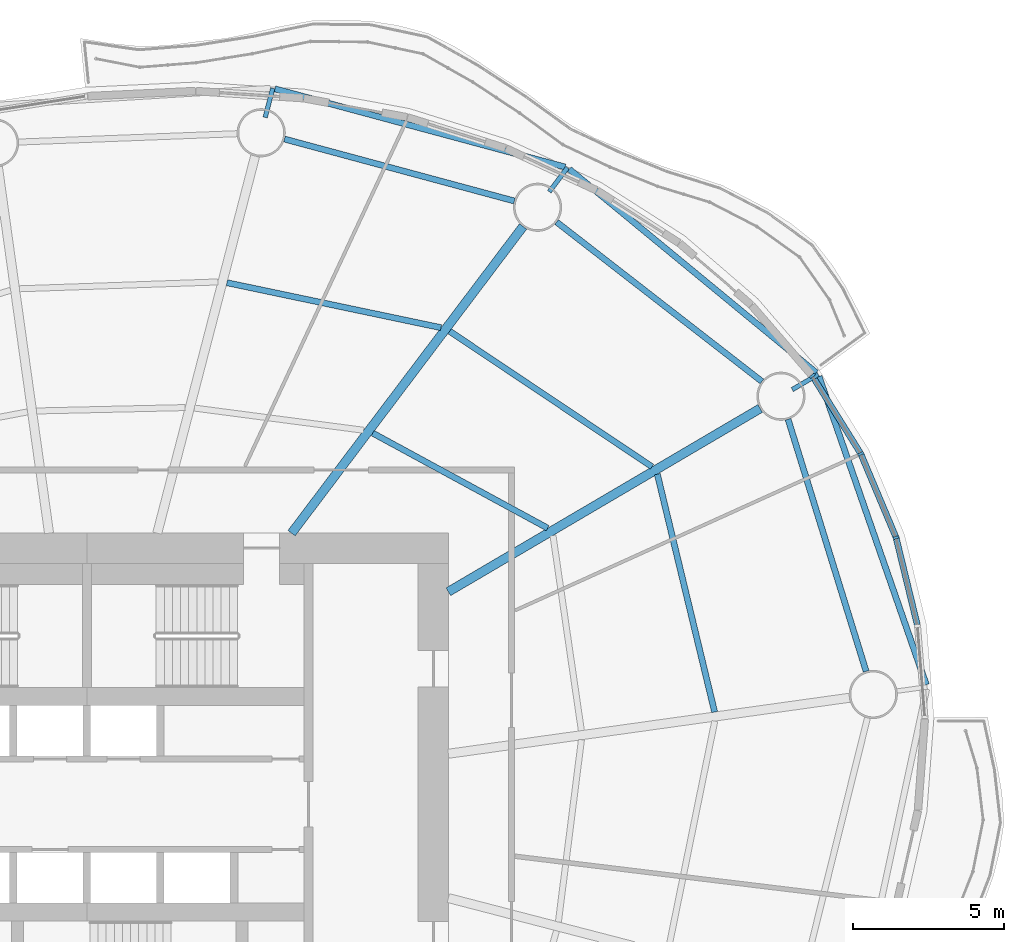
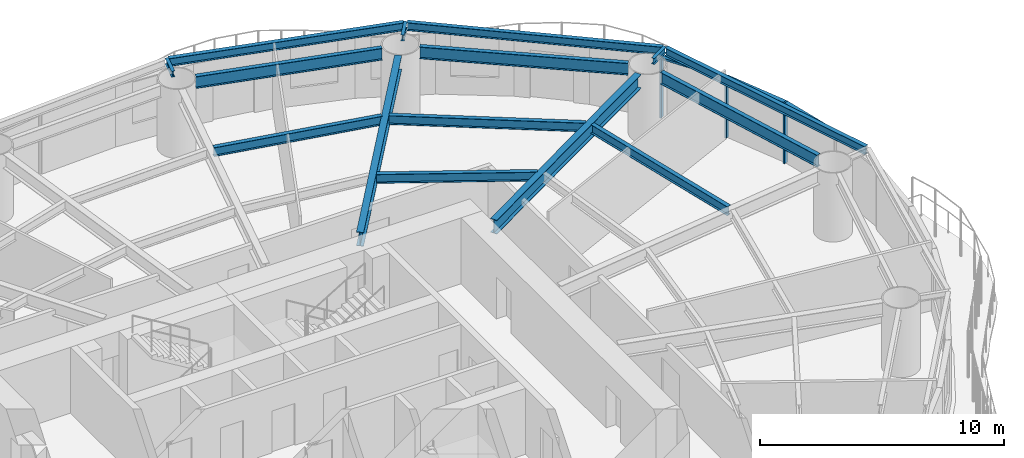
# One storey, part 5 of 14: 15 beams, 6 members, 3 elements without a shape of their own.
"""IFC4 building model written with IfcOpenShell, lengths in metres."""

from ifc_helpers import new_model, si_unit, direction, frame, origin, origin_2d, place, context, subcontext, project, spatial, rectangle, i_section, extrude, material, material_profile, profile_set, type_object, element, aggregate, save


model = new_model("IFC4")

# Units and contexts
model_context = context("Model", 3, precision=1e-05, world=origin(), true_north=direction((0.0, 1.0)))
body_context = subcontext(model_context, "Body", "Model", "MODEL_VIEW")
ifc_project = project(units=[si_unit("LENGTHUNIT", "METRE"), si_unit("AREAUNIT", "SQUARE_METRE"), si_unit("VOLUMEUNIT", "CUBIC_METRE"), si_unit("PLANEANGLEUNIT", "RADIAN"), si_unit("MASSUNIT", "GRAM", prefix="KILO")], contexts=[model_context])

# Site, building, storey
site_placement = place(None, origin())
site = spatial("IfcSite", under=ifc_project, at=site_placement, CompositionType="ELEMENT")
building_placement = place(site_placement, origin())
building = spatial("IfcBuilding", under=site, at=building_placement, Name="Vermilion Reach Broadcast Tower", CompositionType="ELEMENT")
storey_placement = place(building_placement, frame((0.0, 0.0, 106.60009765625)))
storey = spatial("IfcBuildingStorey", under=building, at=storey_placement, Name="L24", CompositionType="ELEMENT", Elevation=106.60009765625)

# Beams
ifc_material_1 = material(Name="Steel S355J2", Category="steel")
ifc_material_profile_1 = material_profile(ifc_material_1, i_section(OverallWidth=0.199951171875, OverallDepth=0.39990234375, WebThickness=0.008056640625, FlangeThickness=0.012939453125, at=origin_2d()), Name="S355J2 HN 400x200x8x13")
ifc_profile_set_1 = profile_set([ifc_material_profile_1], Name="Steel S355J2")
beam_type_1 = type_object("IfcBeamType", Name="EB2 HN 400x200x8x13", PredefinedType="BEAM", material=ifc_profile_set_1)
beam_1_placement = place(storey_placement, frame((18.2197265625, 14.324951171875, 3.25), z_axis=(-0.771698890056, 0.635988068352, 0.0), x_axis=(-0.635988068352, -0.771698890056, 0.0)))
element("IfcBeam", 1, at=beam_1_placement, inside=storey, type_object=beam_type_1, Name="Edge beam EB2-01", PredefinedType="BEAM", context=body_context, shape_type="SweptSolid", body=[
    extrude(i_section(OverallWidth=0.199951171875, OverallDepth=0.39990234375, WebThickness=0.008056640625, FlangeThickness=0.012939453125, at=origin_2d()), origin(), (0.0, 0.0, 1.0), 10.6337890625),
])
beam_2_placement = place(storey_placement, frame((9.877685546875, 21.15673828125, 3.25), z_axis=(-0.965569443685, 0.260145438978, 0.0), x_axis=(-0.260145438978, -0.965569443685, 0.0)))
element("IfcBeam", 2, at=beam_2_placement, inside=storey, type_object=beam_type_1, Name="Edge beam EB2-02", PredefinedType="BEAM", context=body_context, shape_type="SweptSolid", body=[
    extrude(i_section(OverallWidth=0.199951171875, OverallDepth=0.39990234375, WebThickness=0.008056640625, FlangeThickness=0.012939453125, at=origin_2d()), origin(), (0.0, 0.0, 1.0), 9.978759765625),
])
beam_3_placement = place(storey_placement, frame((21.870361328125, 3.9677734375, 3.25), z_axis=(-0.328871865345, 0.94437455291, 0.0), x_axis=(-0.94437455291, -0.328871865345, 0.0)))
element("IfcBeam", 3, at=beam_3_placement, inside=storey, type_object=beam_type_1, Name="Edge beam EB2-16", PredefinedType="BEAM", context=body_context, shape_type="SweptSolid", body=[
    extrude(i_section(OverallWidth=0.199951171875, OverallDepth=0.39990234375, WebThickness=0.008056640625, FlangeThickness=0.012939453125, at=origin_2d()), origin(), (0.0, 0.0, 1.0), 10.8369140625),
])
ifc_material_2 = material(Name="Steel S355J2", Category="steel")
ifc_material_profile_2 = material_profile(ifc_material_2, i_section(OverallWidth=0.300048828125, OverallDepth=0.699951171875, WebThickness=0.012939453125, FlangeThickness=0.02392578125, at=origin_2d()), Name="S355J2 HN 700x300x13x24")
ifc_profile_set_2 = profile_set([ifc_material_profile_2], Name="Steel S355J2")
beam_type_2 = type_object("IfcBeamType", Name="G2 HN 700x300x13x24", PredefinedType="BEAM", material=ifc_profile_set_2)
beam_4_placement = place(storey_placement, frame((6.0, 7.054443359375, 3.099853515625), z_axis=(0.862071616631, 0.506786471603, 0.0), x_axis=(-0.506786471603, 0.862071616631, 0.0)))
element("IfcBeam", 4, at=beam_4_placement, inside=storey, type_object=beam_type_2, Name="Girder G2-01", PredefinedType="BEAM", context=body_context, shape_type="SweptSolid", body=[
    extrude(i_section(OverallWidth=0.300048828125, OverallDepth=0.699951171875, WebThickness=0.012939453125, FlangeThickness=0.02392578125, at=origin_2d()), origin(), (0.0, 0.0, 1.0), 12.01025390625),
])
beam_5_placement = place(storey_placement, frame((0.794189453125, 9.0, 3.099853515625), z_axis=(0.602519842365, 0.798103902733, 0.0), x_axis=(-0.798103902733, 0.602519842365, 0.0)))
element("IfcBeam", 5, at=beam_5_placement, inside=storey, type_object=beam_type_2, Name="Girder G2-02", PredefinedType="BEAM", context=body_context, shape_type="SweptSolid", body=[
    extrude(i_section(OverallWidth=0.300048828125, OverallDepth=0.699951171875, WebThickness=0.012939453125, FlangeThickness=0.02392578125, at=origin_2d()), origin(), (0.0, 0.0, 1.0), 12.758544921875),
])
ifc_material_3 = material(Name="Steel S355J2", Category="steel")
ifc_material_profile_3 = material_profile(ifc_material_3, i_section(OverallWidth=0.14990234375, OverallDepth=0.300048828125, WebThickness=0.006591796875, FlangeThickness=0.009033203125, at=origin_2d()), Name="S355J2 HN 300x150x6.5x9")
ifc_profile_set_3 = profile_set([ifc_material_profile_3], Name="Steel S355J2")
beam_type_3 = type_object("IfcBeamType", Name="GS2 HN 300x150x6.5x9", PredefinedType="BEAM", material=ifc_profile_set_3)
for number, where, z_axis, x_axis, name in (
    (6, (17.419189453125, 13.767333984375, 3.2998046875), (0.862047161964, 0.506828068037, 0.0), (-0.506828068037, 0.862047161964, 0.0), "Cantilever stub GS2-01"),
    (7, (9.353271484375, 20.337646484375, 3.2998046875), (0.602536027779, 0.798091683473, 0.0), (-0.798091683473, 0.602536027779, 0.0), "Cantilever stub GS2-02"),
    (8, (-0.081298828125, 22.80419921875, 3.2998046875), (0.251199368006, 0.967935368459, 0.0), (-0.967935368459, 0.251199368006, 0.0), "Cantilever stub GS2-03"),
):
    element("IfcBeam", number, at=place(storey_placement, frame(where, z_axis=z_axis, x_axis=x_axis)), inside=storey, type_object=beam_type_3, Name=name, PredefinedType="BEAM", context=body_context, shape_type="SweptSolid", body=[
        extrude(i_section(OverallWidth=0.14990234375, OverallDepth=0.300048828125, WebThickness=0.006591796875, FlangeThickness=0.009033203125, at=origin_2d()), origin(), (0.0, 0.0, 1.0), 1.0),
    ])
ifc_material_4 = material(Name="Steel S355J2", Category="steel")
ifc_material_profile_4 = material_profile(ifc_material_4, i_section(OverallWidth=0.199951171875, OverallDepth=0.60009765625, WebThickness=0.010986328125, FlangeThickness=0.01708984375, at=origin_2d()), Name="S355J2 HN 600x200x11x17")
ifc_profile_set_4 = profile_set([ifc_material_profile_4], Name="Steel S355J2")
beam_type_4 = type_object("IfcBeamType", Name="RB2 HN 600x200x11x17", PredefinedType="BEAM", material=ifc_profile_set_4)
beam_6_placement = place(storey_placement, frame((16.41162109375, 14.037109375, 3.14990234375), z_axis=(-0.789825712432, 0.613331349257, 0.0), x_axis=(-0.613331349257, -0.789825712432, 0.0)))
element("IfcBeam", 9, at=beam_6_placement, inside=storey, type_object=beam_type_4, Name="Ring beam RB2-01", PredefinedType="BEAM", context=body_context, shape_type="SweptSolid", body=[
    extrude(i_section(OverallWidth=0.199951171875, OverallDepth=0.60009765625, WebThickness=0.010986328125, FlangeThickness=0.01708984375, at=origin_2d()), origin(), (0.0, 0.0, 1.0), 8.63037109375),
])
beam_7_placement = place(storey_placement, frame((8.19091796875, 20.029296875, 3.14990234375), z_axis=(-0.965541463834, 0.260249268234, 0.0), x_axis=(-0.260249268234, -0.965541463834, 0.0)))
element("IfcBeam", 10, at=beam_7_placement, inside=storey, type_object=beam_type_4, Name="Ring beam RB2-02", PredefinedType="BEAM", context=body_context, shape_type="SweptSolid", body=[
    extrude(i_section(OverallWidth=0.199951171875, OverallDepth=0.60009765625, WebThickness=0.010986328125, FlangeThickness=0.01708984375, at=origin_2d()), origin(), (0.0, 0.0, 1.0), 7.904541015625),
])
beam_8_placement = place(storey_placement, frame((19.872314453125, 4.410400390625, 3.14990234375), z_axis=(-0.295788439635, 0.95525347368, 0.0), x_axis=(-0.95525347368, -0.295788439635, 0.0)))
element("IfcBeam", 11, at=beam_8_placement, inside=storey, type_object=beam_type_4, Name="Ring beam RB2-16", PredefinedType="BEAM", context=body_context, shape_type="SweptSolid", body=[
    extrude(i_section(OverallWidth=0.199951171875, OverallDepth=0.60009765625, WebThickness=0.010986328125, FlangeThickness=0.01708984375, at=origin_2d()), origin(), (0.0, 0.0, 1.0), 8.763916015625),
])
ifc_material_5 = material(Name="Steel S355J2", Category="steel")
ifc_material_profile_5 = material_profile(ifc_material_5, i_section(OverallWidth=0.199951171875, OverallDepth=0.449951171875, WebThickness=0.009033203125, FlangeThickness=0.013916015625, at=origin_2d()), Name="S355J2 HN 450x200x9x14")
ifc_profile_set_5 = profile_set([ifc_material_profile_5], Name="Steel S355J2")
beam_type_5 = type_object("IfcBeamType", Name="SB2 HN 450x200x9x14", PredefinedType="BEAM", material=ifc_profile_set_5)
beam_9_placement = place(storey_placement, frame((9.29736328125, 9.1669921875, 3.224853515625), z_axis=(-0.878713106774, 0.477350265512, 0.0), x_axis=(-0.477350265512, -0.878713106774, 0.0)))
element("IfcBeam", 12, at=beam_9_placement, inside=storey, type_object=beam_type_5, Name="Secondary beam SB2-01-1", PredefinedType="BEAM", context=body_context, shape_type="SweptSolid", body=[
    extrude(i_section(OverallWidth=0.199951171875, OverallDepth=0.449951171875, WebThickness=0.009033203125, FlangeThickness=0.013916015625, at=origin_2d()), origin(), (0.0, 0.0, 1.0), 6.60888671875),
])
beam_10_placement = place(storey_placement, frame((12.76416015625, 11.204833984375, 3.224853515625), z_axis=(-0.830915400975, 0.556398774641, 0.0), x_axis=(-0.556398774641, -0.830915400975, 0.0)))
element("IfcBeam", 13, at=beam_10_placement, inside=storey, type_object=beam_type_5, Name="Secondary beam SB2-01-2", PredefinedType="BEAM", context=body_context, shape_type="SweptSolid", body=[
    extrude(i_section(OverallWidth=0.199951171875, OverallDepth=0.449951171875, WebThickness=0.009033203125, FlangeThickness=0.013916015625, at=origin_2d()), origin(), (0.0, 0.0, 1.0), 8.087646484375),
])
beam_11_placement = place(storey_placement, frame((5.7568359375, 15.822509765625, 3.224853515625), z_axis=(-0.978631382549, 0.205622511148, 0.0), x_axis=(-0.205622511148, -0.978631382549, 0.0)))
element("IfcBeam", 14, at=beam_11_placement, inside=storey, type_object=beam_type_5, Name="Secondary beam SB2-02-2", PredefinedType="BEAM", context=body_context, shape_type="SweptSolid", body=[
    extrude(i_section(OverallWidth=0.199951171875, OverallDepth=0.449951171875, WebThickness=0.009033203125, FlangeThickness=0.013916015625, at=origin_2d()), origin(), (0.0, 0.0, 1.0), 7.262939453125),
])
beam_12_placement = place(storey_placement, frame((14.84228515625, 3.06201171875, 3.224853515625), z_axis=(-0.234260568382, 0.972173845617, 0.0), x_axis=(-0.972173845617, -0.234260568382, 0.0)))
element("IfcBeam", 15, at=beam_12_placement, inside=storey, type_object=beam_type_5, Name="Secondary beam SB2-16-2", PredefinedType="BEAM", context=body_context, shape_type="SweptSolid", body=[
    extrude(i_section(OverallWidth=0.199951171875, OverallDepth=0.449951171875, WebThickness=0.009033203125, FlangeThickness=0.013916015625, at=origin_2d()), origin(), (0.0, 0.0, 1.0), 8.123779296875),
])

# Curtain wall, member
ifc_material_6 = material(Name="Low-e laminated clear glass in aluminium frame", Category="aluminium")
curtain_wall_type = type_object("IfcCurtainWallType", Name="Slot curtain wall", PredefinedType="NOTDEFINED", material=ifc_material_6)
placement = place(storey_placement, origin())
curtain_wall_1 = element("IfcCurtainWall", 16, at=placement, inside=storey, type_object=curtain_wall_type, Name="Slot curtain wall L24 00", PredefinedType="NOTDEFINED")
ifc_material_7 = material(Name="Anodised aluminium", Category="aluminium")
ifc_material_profile_6 = material_profile(ifc_material_7, rectangle(XDim=0.199951171875, YDim=0.080078125, at=origin_2d()), Name="Slot mullion 80 x 200")
ifc_profile_set_6 = profile_set([ifc_material_profile_6], Name="Anodised aluminium")
member_type_1 = type_object("IfcMemberType", Name="Slot mullion 80 x 200", PredefinedType="MULLION", material=ifc_profile_set_6)
member_1_placement = place(storey_placement, frame((20.865478515625, 8.853759765625, 0.0), z_axis=(0.0, 0.0, 1.0), x_axis=(-0.949753808749, -0.312997927737, 0.0)))
member_1 = element("IfcMember", 17, at=member_1_placement, type_object=member_type_1, Name="Slot mullion L24 00", PredefinedType="MULLION", context=body_context, shape_type="SweptSolid", body=[
    extrude(rectangle(XDim=0.199951171875, YDim=0.080078125, at=origin_2d()), origin(), (0.0, 0.0, 1.0), 3.0498046875),
])

# Curtain wall, members
curtain_wall_2 = element("IfcCurtainWall", 18, at=placement, inside=storey, type_object=curtain_wall_type, Name="Slot curtain wall L24 01", PredefinedType="NOTDEFINED")
member_2_placement = place(storey_placement, frame((19.69482421875, 11.63720703125, 0.0), z_axis=(0.0, 0.0, 1.0), x_axis=(-0.888225695525, -0.459407350626, 0.0)))
member_2 = element("IfcMember", 19, at=member_2_placement, type_object=member_type_1, Name="Slot mullion L24 01", PredefinedType="MULLION", context=body_context, shape_type="SweptSolid", body=[
    extrude(rectangle(XDim=0.199951171875, YDim=0.080078125, at=origin_2d()), origin(), (0.0, 0.0, 1.0), 3.0498046875),
])
member_3_placement = place(storey_placement, frame((18.0859375, 14.22314453125, 0.0), z_axis=(0.0, 0.0, 1.0), x_axis=(-0.805789366492, -0.592202243198, 0.0)))
member_3 = element("IfcMember", 20, at=member_3_placement, type_object=member_type_1, Name="Slot mullion L24 02", PredefinedType="MULLION", context=body_context, shape_type="SweptSolid", body=[
    extrude(rectangle(XDim=0.199951171875, YDim=0.080078125, at=origin_2d()), origin(), (0.0, 0.0, 1.0), 3.0498046875),
])

# Curtain wall, member
curtain_wall_3 = element("IfcCurtainWall", 21, at=placement, inside=storey, type_object=curtain_wall_type, Name="Slot curtain wall L24 47", PredefinedType="NOTDEFINED")
ifc_material_8 = material(Name="Anodised aluminium", Category="aluminium")
ifc_material_profile_7 = material_profile(ifc_material_8, rectangle(XDim=0.199951171875, YDim=0.10009765625, at=origin_2d()), Name="Slot transom 200 x 100")
ifc_profile_set_7 = profile_set([ifc_material_profile_7], Name="Anodised aluminium")
member_type_2 = type_object("IfcMemberType", Name="Slot transom 200 x 100", PredefinedType="USERDEFINED", material=ifc_profile_set_7)
member_4_placement = place(storey_placement, frame((21.569580078125, 5.95849609375, 3.0), z_axis=(-0.236277406168, 0.971685642239, 0.0), x_axis=(-0.971685642239, -0.236277406168, 0.0)))
member_4 = element("IfcMember", 22, at=member_4_placement, type_object=member_type_2, Name="Slot transom L24 47.1", ObjectType="TRANSOM", PredefinedType="USERDEFINED", context=body_context, shape_type="SweptSolid", body=[
    extrude(rectangle(XDim=0.199951171875, YDim=0.10009765625, at=origin_2d()), origin(), (0.0, 0.0, 1.0), 2.939697265625),
])
aggregate(curtain_wall_3, [member_4])

# Member
member_5_placement = place(storey_placement, frame((20.85009765625, 8.890625, 3.0), z_axis=(-0.387756243955, 0.921761951522, 0.0), x_axis=(-0.921761951522, -0.387756243955, 0.0)))
member_5 = element("IfcMember", 23, at=member_5_placement, type_object=member_type_2, Name="Slot transom L24 00.1", ObjectType="TRANSOM", PredefinedType="USERDEFINED", context=body_context, shape_type="SweptSolid", body=[
    extrude(rectangle(XDim=0.199951171875, YDim=0.10009765625, at=origin_2d()), origin(), (0.0, 0.0, 1.0), 2.939697265625),
])

aggregate(curtain_wall_1, [member_1, member_5])

member_6_placement = place(storey_placement, frame((19.673583984375, 11.671142578125, 3.0), z_axis=(-0.528206925172, 0.849115683638, 0.0), x_axis=(-0.849115683638, -0.528206925172, 0.0)))
member_6 = element("IfcMember", 24, at=member_6_placement, type_object=member_type_2, Name="Slot transom L24 01.1", ObjectType="TRANSOM", PredefinedType="USERDEFINED", context=body_context, shape_type="SweptSolid", body=[
    extrude(rectangle(XDim=0.199951171875, YDim=0.10009765625, at=origin_2d()), origin(), (0.0, 0.0, 1.0), 2.965576171875),
])

aggregate(curtain_wall_2, [member_2, member_3, member_6])

save(model, "model.ifc")
